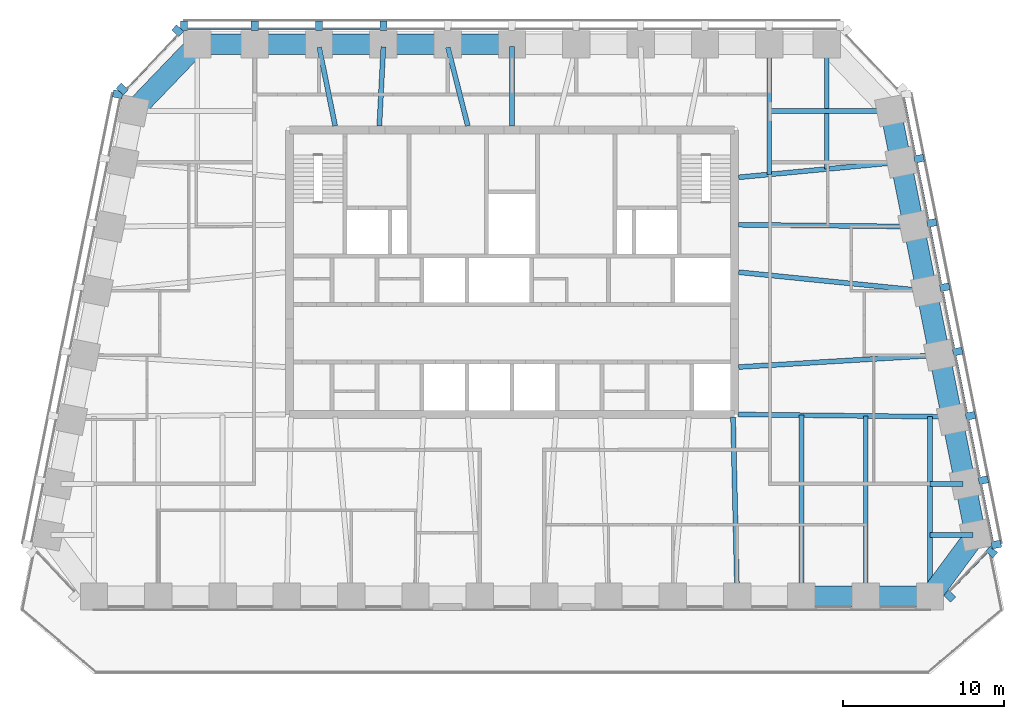
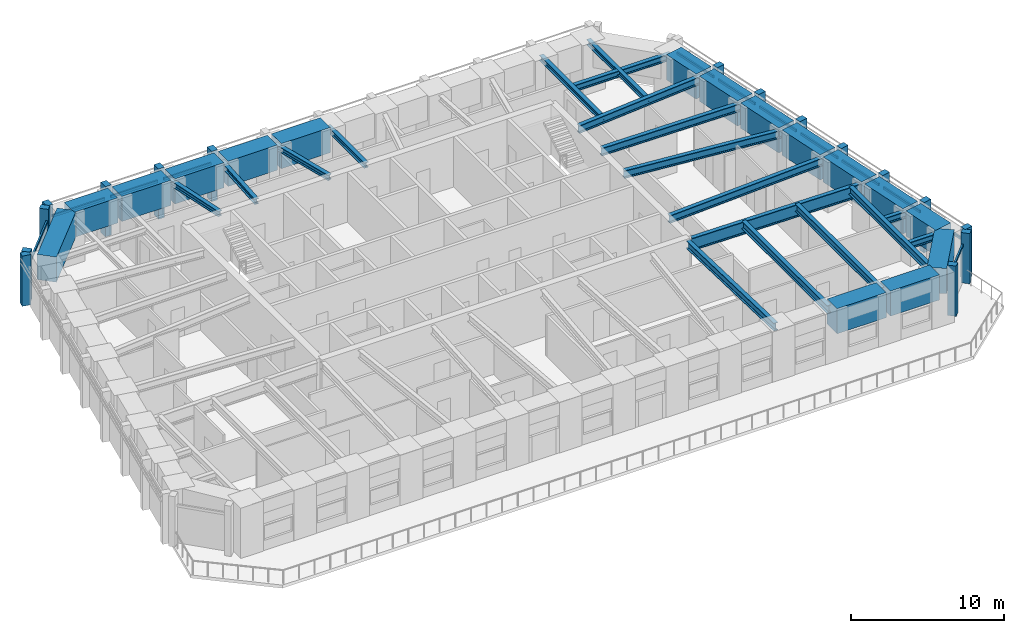
# One storey, part 2 of 11: 34 beams, 28 members, 5 elements without a shape of their own.
"""IFC4 building model written with IfcOpenShell, lengths in metres."""

from ifc_helpers import new_model, si_unit, direction, frame, origin, origin_2d, place, context, subcontext, project, spatial, rectangle, i_section, extrude, material, material_profile, profile_set, type_object, element, aggregate, save


model = new_model("IFC4")

# Units and contexts
model_context = context("Model", 3, precision=1e-05, world=origin(), true_north=direction((0.0, 1.0)))
body_context = subcontext(model_context, "Body", "Model", "MODEL_VIEW")
ifc_project = project(units=[si_unit("LENGTHUNIT", "METRE"), si_unit("AREAUNIT", "SQUARE_METRE"), si_unit("VOLUMEUNIT", "CUBIC_METRE"), si_unit("PLANEANGLEUNIT", "RADIAN"), si_unit("MASSUNIT", "GRAM", prefix="KILO")], contexts=[model_context])

# Site, building, storey
site_placement = place(None, origin())
site = spatial("IfcSite", under=ifc_project, at=site_placement, CompositionType="ELEMENT")
building_placement = place(site_placement, origin())
building = spatial("IfcBuilding", under=site, at=building_placement, Name="Isbrekke Arena Tower", CompositionType="ELEMENT")
storey_placement = place(building_placement, frame((0.0, 0.0, 284.0)))
storey = spatial("IfcBuildingStorey", under=building, at=storey_placement, Name="L66", CompositionType="ELEMENT", Elevation=284.0)

# Beams
ifc_material_1 = material(Name="Steel S355", Category="steel")
ifc_material_profile_1 = material_profile(ifc_material_1, i_section(OverallWidth=0.304931640625, OverallDepth=0.6201171875, WebThickness=0.02099609375, FlangeThickness=0.0400390625, FilletRadius=0.027099609375, at=origin_2d()), Name="HEM 600")
ifc_profile_set_1 = profile_set([ifc_material_profile_1], Name="Steel S355")
beam_type_1 = type_object("IfcBeamType", Name="B4 HEM 600", PredefinedType="BEAM", material=ifc_profile_set_1)
beam_1_placement = place(storey_placement, frame((14.0, -5.021484375, 3.5400390625), z_axis=(-0.022677136914, 0.999742840665, 0.0), x_axis=(-0.999742840665, -0.022677136914, 0.0)))
element("IfcBeam", 1, at=beam_1_placement, inside=storey, type_object=beam_type_1, Name="B4 beam C-S11 L66", PredefinedType="BEAM", context=body_context, shape_type="SweptSolid", body=[
    extrude(i_section(OverallWidth=0.304931640625, OverallDepth=0.6201171875, WebThickness=0.02099609375, FlangeThickness=0.0400390625, FilletRadius=0.027099609375, at=origin_2d()), origin(), (0.0, 0.0, 1.0), 11.0244140625),
])
beam_2_placement = place(storey_placement, frame((18.0, -5.02490234375, 3.5400390625), z_axis=(0.0, 1.0, 0.0), x_axis=(-1.0, 0.0, 0.0)))
element("IfcBeam", 2, at=beam_2_placement, inside=storey, type_object=beam_type_1, Name="B4 beam C-S12 L66", PredefinedType="BEAM", context=body_context, shape_type="SweptSolid", body=[
    extrude(i_section(OverallWidth=0.304931640625, OverallDepth=0.6201171875, WebThickness=0.02099609375, FlangeThickness=0.0400390625, FilletRadius=0.027099609375, at=origin_2d()), origin(), (0.0, 0.0, 1.0), 11.130859375),
])
beam_3_placement = place(storey_placement, frame((22.0, -5.02490234375, 3.5400390625), z_axis=(0.0, 1.0, 0.0), x_axis=(-1.0, 0.0, 0.0)))
element("IfcBeam", 3, at=beam_3_placement, inside=storey, type_object=beam_type_1, Name="B4 beam C-S13 L66", PredefinedType="BEAM", context=body_context, shape_type="SweptSolid", body=[
    extrude(i_section(OverallWidth=0.304931640625, OverallDepth=0.6201171875, WebThickness=0.02099609375, FlangeThickness=0.0400390625, FilletRadius=0.027099609375, at=origin_2d()), origin(), (0.0, 0.0, 1.0), 11.085693359375),
])
beam_4_placement = place(storey_placement, frame((26.0, -5.02490234375, 3.5400390625), z_axis=(0.0, 1.0, 0.0), x_axis=(-1.0, 0.0, 0.0)))
element("IfcBeam", 4, at=beam_4_placement, inside=storey, type_object=beam_type_1, Name="B4 beam C-S14 L66", PredefinedType="BEAM", context=body_context, shape_type="SweptSolid", body=[
    extrude(i_section(OverallWidth=0.304931640625, OverallDepth=0.6201171875, WebThickness=0.02099609375, FlangeThickness=0.0400390625, FilletRadius=0.027099609375, at=origin_2d()), origin(), (0.0, 0.0, 1.0), 11.04052734375),
])
beam_5_placement = place(storey_placement, frame((26.431884765625, 9.837646484375, 3.5400390625), z_axis=(-0.998216240514, -0.059702070095, 0.0), x_axis=(0.059702070095, -0.998216240514, 0.0)))
element("IfcBeam", 5, at=beam_5_placement, inside=storey, type_object=beam_type_1, Name="B4 beam E-E04 L66", PredefinedType="BEAM", context=body_context, shape_type="SweptSolid", body=[
    extrude(i_section(OverallWidth=0.304931640625, OverallDepth=0.6201171875, WebThickness=0.02099609375, FlangeThickness=0.0400390625, FilletRadius=0.027099609375, at=origin_2d()), origin(), (0.0, 0.0, 1.0), 12.353759765625),
])
beam_6_placement = place(storey_placement, frame((25.625732421875, 13.83984375, 3.5400390625), z_axis=(-0.994972081505, 0.100152668587, 0.0), x_axis=(-0.100152668587, -0.994972081505, 0.0)))
element("IfcBeam", 6, at=beam_6_placement, inside=storey, type_object=beam_type_1, Name="B4 beam E-E05 L66", PredefinedType="BEAM", context=body_context, shape_type="SweptSolid", body=[
    extrude(i_section(OverallWidth=0.304931640625, OverallDepth=0.6201171875, WebThickness=0.02099609375, FlangeThickness=0.0400390625, FilletRadius=0.027099609375, at=origin_2d()), origin(), (0.0, 0.0, 1.0), 11.583984375),
])
beam_7_placement = place(storey_placement, frame((24.83935546875, 17.838134765625, 3.5400390625), z_axis=(-0.999945800258, 0.010411366203, 0.0), x_axis=(-0.010411366203, -0.999945800258, 0.0)))
element("IfcBeam", 7, at=beam_7_placement, inside=storey, type_object=beam_type_1, Name="B4 beam E-E06 L66", PredefinedType="BEAM", context=body_context, shape_type="SweptSolid", body=[
    extrude(i_section(OverallWidth=0.304931640625, OverallDepth=0.6201171875, WebThickness=0.02099609375, FlangeThickness=0.0400390625, FilletRadius=0.027099609375, at=origin_2d()), origin(), (0.0, 0.0, 1.0), 10.73974609375),
])
beam_8_placement = place(storey_placement, frame((24.02685546875, 21.8369140625, 3.5400390625), z_axis=(-0.995574576627, -0.093974796485, 0.0), x_axis=(0.093974796485, -0.995574576627, 0.0)))
element("IfcBeam", 8, at=beam_8_placement, inside=storey, type_object=beam_type_1, Name="B4 beam E-E07 L66", PredefinedType="BEAM", context=body_context, shape_type="SweptSolid", body=[
    extrude(i_section(OverallWidth=0.304931640625, OverallDepth=0.6201171875, WebThickness=0.02099609375, FlangeThickness=0.0400390625, FilletRadius=0.027099609375, at=origin_2d()), origin(), (0.0, 0.0, 1.0), 9.970947265625),
])
ifc_material_2 = material(Name="Steel S355", Category="steel")
ifc_material_profile_2 = material_profile(ifc_material_2, i_section(OverallWidth=0.305908203125, OverallDepth=0.52392578125, WebThickness=0.02099609375, FlangeThickness=0.0400390625, FilletRadius=0.027099609375, at=origin_2d()), Name="HEM 500")
ifc_profile_set_2 = profile_set([ifc_material_profile_2], Name="Steel S355")
beam_type_2 = type_object("IfcBeamType", Name="B5 HEM 500", PredefinedType="BEAM", material=ifc_profile_set_2)
beam_9_placement = place(storey_placement, frame((28.67919921875, -1.352783203125, 3.587890625), z_axis=(-1.0, 0.0, 0.0), x_axis=(0.0, -1.0, 0.0)))
element("IfcBeam", 9, at=beam_9_placement, inside=storey, type_object=beam_type_2, Name="B5 beam E-E01 L66", PredefinedType="BEAM", context=body_context, shape_type="SweptSolid", body=[
    extrude(i_section(OverallWidth=0.305908203125, OverallDepth=0.52392578125, WebThickness=0.02099609375, FlangeThickness=0.0400390625, FilletRadius=0.027099609375, at=origin_2d()), origin(), (0.0, 0.0, 1.0), 2.67919921875),
])
beam_10_placement = place(storey_placement, frame((28.041015625, 1.838134765625, 3.587890625), z_axis=(-1.0, 0.0, 0.0), x_axis=(0.0, -1.0, 0.0)))
element("IfcBeam", 10, at=beam_10_placement, inside=storey, type_object=beam_type_2, Name="B5 beam E-E02 L66", PredefinedType="BEAM", context=body_context, shape_type="SweptSolid", body=[
    extrude(i_section(OverallWidth=0.305908203125, OverallDepth=0.52392578125, WebThickness=0.02099609375, FlangeThickness=0.0400390625, FilletRadius=0.027099609375, at=origin_2d()), origin(), (0.0, 0.0, 1.0), 2.041015625),
])
beam_11_placement = place(storey_placement, frame((23.40283203125, 25.029296875, 3.587890625), z_axis=(-1.0, 0.0, 0.0), x_axis=(0.0, -1.0, 0.0)))
element("IfcBeam", 11, at=beam_11_placement, inside=storey, type_object=beam_type_2, Name="B5 beam E-E08 L66", PredefinedType="BEAM", context=body_context, shape_type="SweptSolid", body=[
    extrude(i_section(OverallWidth=0.305908203125, OverallDepth=0.52392578125, WebThickness=0.02099609375, FlangeThickness=0.0400390625, FilletRadius=0.027099609375, at=origin_2d()), origin(), (0.0, 0.0, 1.0), 7.40283203125),
])
ifc_material_3 = material(Name="Steel S355", Category="steel")
ifc_material_profile_3 = material_profile(ifc_material_3, i_section(OverallWidth=0.306884765625, OverallDepth=0.431884765625, WebThickness=0.02099609375, FlangeThickness=0.0400390625, FilletRadius=0.027099609375, at=origin_2d()), Name="HEM 400")
ifc_profile_set_3 = profile_set([ifc_material_profile_3], Name="Steel S355")
beam_type_3 = type_object("IfcBeamType", Name="B6 HEM 400", PredefinedType="BEAM", material=ifc_profile_set_3)
beam_12_placement = place(storey_placement, frame((19.574951171875, 29.02490234375, 3.634033203125), z_axis=(0.0, -1.0, 0.0), x_axis=(1.0, 0.0, 0.0)))
element("IfcBeam", 12, at=beam_12_placement, inside=storey, type_object=beam_type_3, Name="B6 beam N-N01 L66", PredefinedType="BEAM", context=body_context, shape_type="SweptSolid", body=[
    extrude(i_section(OverallWidth=0.306884765625, OverallDepth=0.431884765625, WebThickness=0.02099609375, FlangeThickness=0.0400390625, FilletRadius=0.027099609375, at=origin_2d()), origin(), (0.0, 0.0, 1.0), 7.608154296875),
])
beam_13_placement = place(storey_placement, frame((16.0, 29.02490234375, 3.634033203125), z_axis=(0.0, -1.0, 0.0), x_axis=(1.0, 0.0, 0.0)))
element("IfcBeam", 13, at=beam_13_placement, inside=storey, type_object=beam_type_3, Name="B6 beam N-N02 L66", PredefinedType="BEAM", context=body_context, shape_type="SweptSolid", body=[
    extrude(i_section(OverallWidth=0.306884765625, OverallDepth=0.431884765625, WebThickness=0.02099609375, FlangeThickness=0.0400390625, FilletRadius=0.027099609375, at=origin_2d()), origin(), (0.0, 0.0, 1.0), 7.945556640625),
])
beam_14_placement = place(storey_placement, frame((0.0, 29.02490234375, 3.634033203125), z_axis=(0.0, -1.0, 0.0), x_axis=(1.0, 0.0, 0.0)))
element("IfcBeam", 14, at=beam_14_placement, inside=storey, type_object=beam_type_3, Name="B6 beam N-N06 L66", PredefinedType="BEAM", context=body_context, shape_type="SweptSolid", body=[
    extrude(i_section(OverallWidth=0.306884765625, OverallDepth=0.431884765625, WebThickness=0.02099609375, FlangeThickness=0.0400390625, FilletRadius=0.027099609375, at=origin_2d()), origin(), (0.0, 0.0, 1.0), 4.9248046875),
])
beam_15_placement = place(storey_placement, frame((-3.99072265625, 28.98828125, 3.634033203125), z_axis=(0.246019579109, -0.969264858898, 0.0), x_axis=(0.969264858898, 0.246019579109, 0.0)))
element("IfcBeam", 15, at=beam_15_placement, inside=storey, type_object=beam_type_3, Name="B6 beam N-N07 L66", PredefinedType="BEAM", context=body_context, shape_type="SweptSolid", body=[
    extrude(i_section(OverallWidth=0.306884765625, OverallDepth=0.431884765625, WebThickness=0.02099609375, FlangeThickness=0.0400390625, FilletRadius=0.027099609375, at=origin_2d()), origin(), (0.0, 0.0, 1.0), 5.043212890625),
])
beam_16_placement = place(storey_placement, frame((-8.00048828125, 29.017333984375, 3.634033203125), z_axis=(-0.050677067868, -0.998715091902, 0.0), x_axis=(0.998715091902, -0.050677067868, 0.0)))
element("IfcBeam", 16, at=beam_16_placement, inside=storey, type_object=beam_type_3, Name="B6 beam N-N08 L66", PredefinedType="BEAM", context=body_context, shape_type="SweptSolid", body=[
    extrude(i_section(OverallWidth=0.306884765625, OverallDepth=0.431884765625, WebThickness=0.02099609375, FlangeThickness=0.0400390625, FilletRadius=0.027099609375, at=origin_2d()), origin(), (0.0, 0.0, 1.0), 4.923583984375),
])
beam_17_placement = place(storey_placement, frame((-11.993896484375, 28.9951171875, 3.634033203125), z_axis=(0.198982177337, -0.980003108721, 0.0), x_axis=(0.980003108721, 0.198982177337, 0.0)))
element("IfcBeam", 17, at=beam_17_placement, inside=storey, type_object=beam_type_3, Name="B6 beam N-N09 L66", PredefinedType="BEAM", context=body_context, shape_type="SweptSolid", body=[
    extrude(i_section(OverallWidth=0.306884765625, OverallDepth=0.431884765625, WebThickness=0.02099609375, FlangeThickness=0.0400390625, FilletRadius=0.027099609375, at=origin_2d()), origin(), (0.0, 0.0, 1.0), 4.994873046875),
])

# Curtain wall, members
ifc_material_4 = material(Name="Glazed aluminium curtain wall", Category="aluminium")
curtain_wall_type = type_object("IfcCurtainWallType", Name="CWT TOWER CURTAIN WALL TOP ZONE", PredefinedType="USERDEFINED", material=ifc_material_4)
curtain_wall_1_placement = place(storey_placement, origin())
curtain_wall_1 = element("IfcCurtainWall", 18, at=curtain_wall_1_placement, inside=storey, type_object=curtain_wall_type, Name="CWT curtain wall L66-SE", ObjectType="TOWER CURTAIN WALL TOP ZONE", PredefinedType="USERDEFINED")
ifc_material_5 = material(Name="Copper-clad aluminium mullion", Category="aluminium")
ifc_material_profile_4 = material_profile(ifc_material_5, rectangle(XDim=0.449951171875, YDim=0.60009765625, at=origin_2d()), Name="PIER 450X600")
ifc_profile_set_4 = profile_set([ifc_material_profile_4], Name="Copper-clad aluminium mullion")
member_type_1 = type_object("IfcMemberType", Name="CWT-M PIER MULLION 450 x 600", PredefinedType="MULLION", material=ifc_profile_set_4)
member_1_placement = place(storey_placement, frame((27.22021484375, -5.151123046875, 0.0), z_axis=(0.0, 0.0, 1.0), x_axis=(0.68874946192, 0.72499943359, 0.0)))
member_1 = element("IfcMember", 19, at=member_1_placement, type_object=member_type_1, Name="CWT-M mullion 1", PredefinedType="MULLION", context=body_context, shape_type="SweptSolid", body=[
    extrude(rectangle(XDim=0.449951171875, YDim=0.60009765625, at=origin_2d()), origin(), (0.0, 0.0, 1.0), 4.0),
])
member_2_placement = place(storey_placement, frame((29.8359375, -2.397705078125, 0.0), z_axis=(0.0, 0.0, 1.0), x_axis=(0.68874946192, 0.72499943359, 0.0)))
member_2 = element("IfcMember", 20, at=member_2_placement, type_object=member_type_1, Name="CWT-M mullion 2", PredefinedType="MULLION", context=body_context, shape_type="SweptSolid", body=[
    extrude(rectangle(XDim=0.449951171875, YDim=0.60009765625, at=origin_2d()), origin(), (0.0, 0.0, 1.0), 4.0),
])

curtain_wall_2_placement = place(storey_placement, origin())
curtain_wall_2 = element("IfcCurtainWall", 21, at=curtain_wall_2_placement, inside=storey, type_object=curtain_wall_type, Name="CWT curtain wall L66-E", ObjectType="TOWER CURTAIN WALL TOP ZONE", PredefinedType="USERDEFINED")
member_3_placement = place(storey_placement, frame((30.11865234375, -1.936279296875, 0.0), z_axis=(0.0, 0.0, 1.0), x_axis=(-0.196116135138, 0.980580675691, 0.0)))
member_3 = element("IfcMember", 22, at=member_3_placement, type_object=member_type_1, Name="CWT-M mullion 1", PredefinedType="MULLION", context=body_context, shape_type="SweptSolid", body=[
    extrude(rectangle(XDim=0.449951171875, YDim=0.60009765625, at=origin_2d()), origin(), (0.0, 0.0, 1.0), 4.0),
])
member_4_placement = place(storey_placement, frame((29.318603515625, 2.063720703125, 0.0), z_axis=(0.0, 0.0, 1.0), x_axis=(-0.196116135138, 0.980580675691, 0.0)))
member_4 = element("IfcMember", 23, at=member_4_placement, type_object=member_type_1, Name="CWT-M mullion 2", PredefinedType="MULLION", context=body_context, shape_type="SweptSolid", body=[
    extrude(rectangle(XDim=0.449951171875, YDim=0.60009765625, at=origin_2d()), origin(), (0.0, 0.0, 1.0), 4.0),
])
member_5_placement = place(storey_placement, frame((28.518798828125, 6.063720703125, 0.0), z_axis=(0.0, 0.0, 1.0), x_axis=(-0.196116135138, 0.980580675691, 0.0)))
member_5 = element("IfcMember", 24, at=member_5_placement, type_object=member_type_1, Name="CWT-M mullion 3", PredefinedType="MULLION", context=body_context, shape_type="SweptSolid", body=[
    extrude(rectangle(XDim=0.449951171875, YDim=0.60009765625, at=origin_2d()), origin(), (0.0, 0.0, 1.0), 4.0),
])
member_6_placement = place(storey_placement, frame((27.71875, 10.063720703125, 0.0), z_axis=(0.0, 0.0, 1.0), x_axis=(-0.196116135138, 0.980580675691, 0.0)))
member_6 = element("IfcMember", 25, at=member_6_placement, type_object=member_type_1, Name="CWT-M mullion 4", PredefinedType="MULLION", context=body_context, shape_type="SweptSolid", body=[
    extrude(rectangle(XDim=0.449951171875, YDim=0.60009765625, at=origin_2d()), origin(), (0.0, 0.0, 1.0), 4.0),
])
member_7_placement = place(storey_placement, frame((26.918701171875, 14.063720703125, 0.0), z_axis=(0.0, 0.0, 1.0), x_axis=(-0.196116135138, 0.980580675691, 0.0)))
member_7 = element("IfcMember", 26, at=member_7_placement, type_object=member_type_1, Name="CWT-M mullion 5", PredefinedType="MULLION", context=body_context, shape_type="SweptSolid", body=[
    extrude(rectangle(XDim=0.449951171875, YDim=0.60009765625, at=origin_2d()), origin(), (0.0, 0.0, 1.0), 4.0),
])
member_8_placement = place(storey_placement, frame((26.11865234375, 18.063720703125, 0.0), z_axis=(0.0, 0.0, 1.0), x_axis=(-0.196116135138, 0.980580675691, 0.0)))
member_8 = element("IfcMember", 27, at=member_8_placement, type_object=member_type_1, Name="CWT-M mullion 6", PredefinedType="MULLION", context=body_context, shape_type="SweptSolid", body=[
    extrude(rectangle(XDim=0.449951171875, YDim=0.60009765625, at=origin_2d()), origin(), (0.0, 0.0, 1.0), 4.0),
])
member_9_placement = place(storey_placement, frame((25.318603515625, 22.063720703125, 0.0), z_axis=(0.0, 0.0, 1.0), x_axis=(-0.196116135138, 0.980580675691, 0.0)))
member_9 = element("IfcMember", 28, at=member_9_placement, type_object=member_type_1, Name="CWT-M mullion 7", PredefinedType="MULLION", context=body_context, shape_type="SweptSolid", body=[
    extrude(rectangle(XDim=0.449951171875, YDim=0.60009765625, at=origin_2d()), origin(), (0.0, 0.0, 1.0), 4.0),
])

curtain_wall_3_placement = place(storey_placement, origin())
curtain_wall_3 = element("IfcCurtainWall", 29, at=curtain_wall_3_placement, inside=storey, type_object=curtain_wall_type, Name="CWT curtain wall L66-N", ObjectType="TOWER CURTAIN WALL TOP ZONE", PredefinedType="USERDEFINED")
member_10_placement = place(storey_placement, frame((-8.0, 30.324951171875, 0.0), z_axis=(0.0, 0.0, 1.0), x_axis=(-1.0, 0.0, 0.0)))
member_10 = element("IfcMember", 30, at=member_10_placement, type_object=member_type_1, Name="CWT-M mullion 8", PredefinedType="MULLION", context=body_context, shape_type="SweptSolid", body=[
    extrude(rectangle(XDim=0.449951171875, YDim=0.60009765625, at=origin_2d()), origin(), (0.0, 0.0, 1.0), 4.0),
])
member_11_placement = place(storey_placement, frame((-12.0, 30.324951171875, 0.0), z_axis=(0.0, 0.0, 1.0), x_axis=(-1.0, 0.0, 0.0)))
member_11 = element("IfcMember", 31, at=member_11_placement, type_object=member_type_1, Name="CWT-M mullion 9", PredefinedType="MULLION", context=body_context, shape_type="SweptSolid", body=[
    extrude(rectangle(XDim=0.449951171875, YDim=0.60009765625, at=origin_2d()), origin(), (0.0, 0.0, 1.0), 4.0),
])
member_12_placement = place(storey_placement, frame((-16.0, 30.324951171875, 0.0), z_axis=(0.0, 0.0, 1.0), x_axis=(-1.0, 0.0, 0.0)))
member_12 = element("IfcMember", 32, at=member_12_placement, type_object=member_type_1, Name="CWT-M mullion 10", PredefinedType="MULLION", context=body_context, shape_type="SweptSolid", body=[
    extrude(rectangle(XDim=0.449951171875, YDim=0.60009765625, at=origin_2d()), origin(), (0.0, 0.0, 1.0), 4.0),
])
member_13_placement = place(storey_placement, frame((-20.39990234375, 30.324951171875, 0.0), z_axis=(0.0, 0.0, 1.0), x_axis=(-1.0, 0.0, 0.0)))
member_13 = element("IfcMember", 33, at=member_13_placement, type_object=member_type_1, Name="CWT-M mullion 11", PredefinedType="MULLION", context=body_context, shape_type="SweptSolid", body=[
    extrude(rectangle(XDim=0.449951171875, YDim=0.60009765625, at=origin_2d()), origin(), (0.0, 0.0, 1.0), 4.0),
])

curtain_wall_4_placement = place(storey_placement, origin())
curtain_wall_4 = element("IfcCurtainWall", 34, at=curtain_wall_4_placement, inside=storey, type_object=curtain_wall_type, Name="CWT curtain wall L66-NW", ObjectType="TOWER CURTAIN WALL TOP ZONE", PredefinedType="USERDEFINED")
member_14_placement = place(storey_placement, frame((-20.795166015625, 30.01953125, 0.0), z_axis=(0.0, 0.0, 1.0), x_axis=(-0.68874946192, -0.72499943359, 0.0)))
member_14 = element("IfcMember", 35, at=member_14_placement, type_object=member_type_1, Name="CWT-M mullion 1", PredefinedType="MULLION", context=body_context, shape_type="SweptSolid", body=[
    extrude(rectangle(XDim=0.449951171875, YDim=0.60009765625, at=origin_2d()), origin(), (0.0, 0.0, 1.0), 4.0),
])
member_15_placement = place(storey_placement, frame((-24.243896484375, 26.389404296875, 0.0), z_axis=(0.0, 0.0, 1.0), x_axis=(-0.68874946192, -0.72499943359, 0.0)))
member_15 = element("IfcMember", 36, at=member_15_placement, type_object=member_type_1, Name="CWT-M mullion 2", PredefinedType="MULLION", context=body_context, shape_type="SweptSolid", body=[
    extrude(rectangle(XDim=0.449951171875, YDim=0.60009765625, at=origin_2d()), origin(), (0.0, 0.0, 1.0), 4.0),
])

# Curtain wall, member
curtain_wall_5_placement = place(storey_placement, origin())
curtain_wall_5 = element("IfcCurtainWall", 37, at=curtain_wall_5_placement, inside=storey, type_object=curtain_wall_type, Name="CWT curtain wall L66-W", ObjectType="TOWER CURTAIN WALL TOP ZONE", PredefinedType="USERDEFINED")
member_16_placement = place(storey_placement, frame((-24.518798828125, 26.063720703125, 0.0), z_axis=(0.0, 0.0, 1.0), x_axis=(-0.196116135138, -0.980580675691, 0.0)))
member_16 = element("IfcMember", 38, at=member_16_placement, type_object=member_type_1, Name="CWT-M mullion 1", PredefinedType="MULLION", context=body_context, shape_type="SweptSolid", body=[
    extrude(rectangle(XDim=0.449951171875, YDim=0.60009765625, at=origin_2d()), origin(), (0.0, 0.0, 1.0), 4.0),
])
aggregate(curtain_wall_5, [member_16])

# Member
ifc_material_6 = material(Name="Aluminium transom", Category="aluminium")
ifc_material_profile_5 = material_profile(ifc_material_6, rectangle(XDim=0.1201171875, YDim=0.199951171875, at=origin_2d()), Name="TRANSOM 120X200")
ifc_profile_set_5 = profile_set([ifc_material_profile_5], Name="Aluminium transom")
member_type_2 = type_object("IfcMemberType", Name="CWT-T TRANSOM 120 x 200", PredefinedType="USERDEFINED", material=ifc_profile_set_5)
member_17_placement = place(storey_placement, frame((27.230224609375, -4.850341796875, 3.0), z_axis=(0.688714962542, 0.725032206437, 0.0), x_axis=(-0.725032206437, 0.688714962542, 0.0)))
member_17 = element("IfcMember", 39, at=member_17_placement, type_object=member_type_2, Name="CWT-T transom 1", ObjectType="TRANSOM", PredefinedType="USERDEFINED", context=body_context, shape_type="SweptSolid", body=[
    extrude(rectangle(XDim=0.1201171875, YDim=0.199951171875, at=origin_2d()), origin(), (0.0, 0.0, 1.0), 3.34765625),
])

aggregate(curtain_wall_1, [member_1, member_2, member_17])

member_18_placement = place(storey_placement, frame((29.87841796875, -1.7548828125, 3.0), z_axis=(-0.196090262229, 0.980585849918, 0.0), x_axis=(-0.980585849918, -0.196090262229, 0.0)))
member_18 = element("IfcMember", 40, at=member_18_placement, type_object=member_type_2, Name="CWT-T transom 1", ObjectType="TRANSOM", PredefinedType="USERDEFINED", context=body_context, shape_type="SweptSolid", body=[
    extrude(rectangle(XDim=0.1201171875, YDim=0.199951171875, at=origin_2d()), origin(), (0.0, 0.0, 1.0), 3.62939453125),
])

member_19_placement = place(storey_placement, frame((29.078369140625, 2.2451171875, 3.0), z_axis=(-0.196090262229, 0.980585849918, 0.0), x_axis=(-0.980585849918, -0.196090262229, 0.0)))
member_19 = element("IfcMember", 41, at=member_19_placement, type_object=member_type_2, Name="CWT-T transom 2", ObjectType="TRANSOM", PredefinedType="USERDEFINED", context=body_context, shape_type="SweptSolid", body=[
    extrude(rectangle(XDim=0.1201171875, YDim=0.199951171875, at=origin_2d()), origin(), (0.0, 0.0, 1.0), 3.62939453125),
])

member_20_placement = place(storey_placement, frame((28.278564453125, 6.2451171875, 3.0), z_axis=(-0.196154943734, 0.980572913173, 0.0), x_axis=(-0.980572913173, -0.196154943734, 0.0)))
member_20 = element("IfcMember", 42, at=member_20_placement, type_object=member_type_2, Name="CWT-T transom 3", ObjectType="TRANSOM", PredefinedType="USERDEFINED", context=body_context, shape_type="SweptSolid", body=[
    extrude(rectangle(XDim=0.1201171875, YDim=0.199951171875, at=origin_2d()), origin(), (0.0, 0.0, 1.0), 3.62939453125),
])

member_21_placement = place(storey_placement, frame((27.478515625, 10.2451171875, 3.0), z_axis=(-0.196154943734, 0.980572913173, 0.0), x_axis=(-0.980572913173, -0.196154943734, 0.0)))
member_21 = element("IfcMember", 43, at=member_21_placement, type_object=member_type_2, Name="CWT-T transom 4", ObjectType="TRANSOM", PredefinedType="USERDEFINED", context=body_context, shape_type="SweptSolid", body=[
    extrude(rectangle(XDim=0.1201171875, YDim=0.199951171875, at=origin_2d()), origin(), (0.0, 0.0, 1.0), 3.62939453125),
])

member_22_placement = place(storey_placement, frame((26.678466796875, 14.2451171875, 3.0), z_axis=(-0.196090262229, 0.980585849918, 0.0), x_axis=(-0.980585849918, -0.196090262229, 0.0)))
member_22 = element("IfcMember", 44, at=member_22_placement, type_object=member_type_2, Name="CWT-T transom 5", ObjectType="TRANSOM", PredefinedType="USERDEFINED", context=body_context, shape_type="SweptSolid", body=[
    extrude(rectangle(XDim=0.1201171875, YDim=0.199951171875, at=origin_2d()), origin(), (0.0, 0.0, 1.0), 3.62939453125),
])

member_23_placement = place(storey_placement, frame((25.87841796875, 18.2451171875, 3.0), z_axis=(-0.196090262229, 0.980585849918, 0.0), x_axis=(-0.980585849918, -0.196090262229, 0.0)))
member_23 = element("IfcMember", 45, at=member_23_placement, type_object=member_type_2, Name="CWT-T transom 6", ObjectType="TRANSOM", PredefinedType="USERDEFINED", context=body_context, shape_type="SweptSolid", body=[
    extrude(rectangle(XDim=0.1201171875, YDim=0.199951171875, at=origin_2d()), origin(), (0.0, 0.0, 1.0), 3.62939453125),
])

member_24_placement = place(storey_placement, frame((25.078369140625, 22.2451171875, 3.0), z_axis=(-0.196090262229, 0.980585849918, 0.0), x_axis=(-0.980585849918, -0.196090262229, 0.0)))
member_24 = element("IfcMember", 46, at=member_24_placement, type_object=member_type_2, Name="CWT-T transom 7", ObjectType="TRANSOM", PredefinedType="USERDEFINED", context=body_context, shape_type="SweptSolid", body=[
    extrude(rectangle(XDim=0.1201171875, YDim=0.199951171875, at=origin_2d()), origin(), (0.0, 0.0, 1.0), 3.62939453125),
])

aggregate(curtain_wall_2, [member_3, member_4, member_5, member_6, member_7, member_8, member_9, member_18, member_19, member_20, member_21, member_22, member_23, member_24])

member_25_placement = place(storey_placement, frame((-8.22509765625, 30.125, 3.0), z_axis=(-1.0, 0.0, 0.0), x_axis=(0.0, -1.0, 0.0)))
member_25 = element("IfcMember", 47, at=member_25_placement, type_object=member_type_2, Name="CWT-T transom 8", ObjectType="TRANSOM", PredefinedType="USERDEFINED", context=body_context, shape_type="SweptSolid", body=[
    extrude(rectangle(XDim=0.1201171875, YDim=0.199951171875, at=origin_2d()), origin(), (0.0, 0.0, 1.0), 3.5498046875),
])

member_26_placement = place(storey_placement, frame((-12.22509765625, 30.125, 3.0), z_axis=(-1.0, 0.0, 0.0), x_axis=(0.0, -1.0, 0.0)))
member_26 = element("IfcMember", 48, at=member_26_placement, type_object=member_type_2, Name="CWT-T transom 9", ObjectType="TRANSOM", PredefinedType="USERDEFINED", context=body_context, shape_type="SweptSolid", body=[
    extrude(rectangle(XDim=0.1201171875, YDim=0.199951171875, at=origin_2d()), origin(), (0.0, 0.0, 1.0), 3.5498046875),
])

member_27_placement = place(storey_placement, frame((-16.22509765625, 30.125, 3.0), z_axis=(-1.0, 0.0, 0.0), x_axis=(0.0, -1.0, 0.0)))
member_27 = element("IfcMember", 49, at=member_27_placement, type_object=member_type_2, Name="CWT-T transom 10", ObjectType="TRANSOM", PredefinedType="USERDEFINED", context=body_context, shape_type="SweptSolid", body=[
    extrude(rectangle(XDim=0.1201171875, YDim=0.199951171875, at=origin_2d()), origin(), (0.0, 0.0, 1.0), 3.949951171875),
])

aggregate(curtain_wall_3, [member_10, member_11, member_12, member_13, member_25, member_26, member_27])

member_28_placement = place(storey_placement, frame((-20.80517578125, 29.71875, 3.0), z_axis=(-0.688739606035, -0.725008796552, 0.0), x_axis=(0.725008796552, -0.688739606035, 0.0)))
member_28 = element("IfcMember", 50, at=member_28_placement, type_object=member_type_2, Name="CWT-T transom 1", ObjectType="TRANSOM", PredefinedType="USERDEFINED", context=body_context, shape_type="SweptSolid", body=[
    extrude(rectangle(XDim=0.1201171875, YDim=0.199951171875, at=origin_2d()), origin(), (0.0, 0.0, 1.0), 4.55712890625),
])

aggregate(curtain_wall_4, [member_14, member_15, member_28])

# Beams
ifc_material_7 = material(Name="Steel S355", Category="steel")
ifc_material_profile_6 = material_profile(ifc_material_7, i_section(OverallWidth=0.302001953125, OverallDepth=1.008056640625, WebThickness=0.02099609375, FlangeThickness=0.0400390625, FilletRadius=0.030029296875, at=origin_2d()), Name="HEM 1000")
ifc_profile_set_6 = profile_set([ifc_material_profile_6], Name="Steel S355")
beam_type_4 = type_object("IfcBeamType", Name="G2 HEM 1000", PredefinedType="BEAM", material=ifc_profile_set_6)
beam_18_placement = place(storey_placement, frame((14.10009765625, 6.14990234375, 3.345947265625), z_axis=(0.999936387749, -0.011279204565, 0.0), x_axis=(0.011279204565, 0.999936387749, 0.0)))
element("IfcBeam", 51, at=beam_18_placement, inside=storey, type_object=beam_type_4, Name="G2 beam G2-E L66", PredefinedType="BEAM", context=body_context, shape_type="SweptSolid", body=[
    extrude(i_section(OverallWidth=0.302001953125, OverallDepth=1.008056640625, WebThickness=0.02099609375, FlangeThickness=0.0400390625, FilletRadius=0.030029296875, at=origin_2d()), origin(), (0.0, 0.0, 1.0), 13.2900390625),
])
ifc_material_8 = material(Name="Concrete B55 (C55/67)", Category="concrete")
ifc_material_profile_7 = material_profile(ifc_material_8, rectangle(XDim=1.300048828125, YDim=2.0, at=origin_2d()), Name="RC 1300x2000")
ifc_profile_set_7 = profile_set([ifc_material_profile_7], Name="Concrete B55 (C55/67)")
beam_type_5 = type_object("IfcBeamType", Name="SB4 RC 1300 x 2000", PredefinedType="SPANDREL", material=ifc_profile_set_7)
for number, where, z_axis, x_axis, name in (
    (52, (18.14990234375, -5.175048828125, 3.0), (1.0, 0.0, 0.0), (0.0, 1.0, 0.0), "SB4 spandrel S12-S13 L66"),
    (53, (22.14990234375, -5.175048828125, 3.0), (1.0, 0.0, 0.0), (0.0, 1.0, 0.0), "SB4 spandrel S13-S14 L66"),
):
    element("IfcBeam", number, at=place(storey_placement, frame(where, z_axis=z_axis, x_axis=x_axis)), inside=storey, type_object=beam_type_5, Name=name, PredefinedType="SPANDREL", context=body_context, shape_type="SweptSolid", body=[
        extrude(rectangle(XDim=1.300048828125, YDim=2.0, at=origin_2d()), origin(), (0.0, 0.0, 1.0), 3.7001953125),
    ])
beam_19_placement = place(storey_placement, frame((26.08935546875, -5.054443359375, 3.0), z_axis=(0.594937895072, 0.803771672185, 0.0), x_axis=(-0.803771672185, 0.594937895072, 0.0)))
element("IfcBeam", 54, at=beam_19_placement, inside=storey, type_object=beam_type_5, Name="SB4 spandrel S14-E01 L66", PredefinedType="SPANDREL", context=body_context, shape_type="SweptSolid", body=[
    extrude(rectangle(XDim=1.300048828125, YDim=2.0, at=origin_2d()), origin(), (0.0, 0.0, 1.0), 4.455322265625),
])
beam_20_placement = place(storey_placement, frame((28.7998046875, -1.205810546875, 3.0), z_axis=(-0.196100243168, 0.980583853951, 0.0), x_axis=(-0.980583853951, -0.196100243168, 0.0)))
element("IfcBeam", 55, at=beam_20_placement, inside=storey, type_object=beam_type_5, Name="SB4 spandrel E01-E02 L66", PredefinedType="SPANDREL", context=body_context, shape_type="SweptSolid", body=[
    extrude(rectangle(XDim=1.300048828125, YDim=2.0, at=origin_2d()), origin(), (0.0, 0.0, 1.0), 2.954345703125),
])
for number, where, z_axis, x_axis, name in (
    (56, (28.16162109375, 1.9853515625, 3.0), (-0.196128558387, 0.980578190959, 0.0), (-0.980578190959, -0.196128558387, 0.0), "SB4 spandrel E02-E03 L66"),
    (57, (27.361572265625, 5.9853515625, 3.0), (-0.196128558387, 0.980578190959, 0.0), (-0.980578190959, -0.196128558387, 0.0), "SB4 spandrel E03-E04 L66"),
):
    element("IfcBeam", number, at=place(storey_placement, frame(where, z_axis=z_axis, x_axis=x_axis)), inside=storey, type_object=beam_type_5, Name=name, PredefinedType="SPANDREL", context=body_context, shape_type="SweptSolid", body=[
        extrude(rectangle(XDim=1.300048828125, YDim=2.0, at=origin_2d()), origin(), (0.0, 0.0, 1.0), 3.779296875),
    ])
beam_21_placement = place(storey_placement, frame((26.5615234375, 9.9853515625, 3.0), z_axis=(-0.1960664412, 0.980590613169, 0.0), x_axis=(-0.980590613169, -0.1960664412, 0.0)))
element("IfcBeam", 58, at=beam_21_placement, inside=storey, type_object=beam_type_5, Name="SB4 spandrel E04-E05 L66", PredefinedType="SPANDREL", context=body_context, shape_type="SweptSolid", body=[
    extrude(rectangle(XDim=1.300048828125, YDim=2.0, at=origin_2d()), origin(), (0.0, 0.0, 1.0), 3.779052734375),
])
for number, where, z_axis, x_axis, name in (
    (59, (25.76171875, 13.9853515625, 3.0), (-0.196128558387, 0.980578190959, 0.0), (-0.980578190959, -0.196128558387, 0.0), "SB4 spandrel E05-E06 L66"),
    (60, (24.961669921875, 17.9853515625, 3.0), (-0.196128558387, 0.980578190959, 0.0), (-0.980578190959, -0.196128558387, 0.0), "SB4 spandrel E06-E07 L66"),
):
    element("IfcBeam", number, at=place(storey_placement, frame(where, z_axis=z_axis, x_axis=x_axis)), inside=storey, type_object=beam_type_5, Name=name, PredefinedType="SPANDREL", context=body_context, shape_type="SweptSolid", body=[
        extrude(rectangle(XDim=1.300048828125, YDim=2.0, at=origin_2d()), origin(), (0.0, 0.0, 1.0), 3.779296875),
    ])
beam_22_placement = place(storey_placement, frame((24.16162109375, 21.9853515625, 3.0), z_axis=(-0.196116135138, 0.980580675691, 0.0), x_axis=(-0.980580675691, -0.196116135138, 0.0)))
element("IfcBeam", 61, at=beam_22_placement, inside=storey, type_object=beam_type_5, Name="SB4 spandrel E07-E08 L66", PredefinedType="SPANDREL", context=body_context, shape_type="SweptSolid", body=[
    extrude(rectangle(XDim=1.300048828125, YDim=2.0, at=origin_2d()), origin(), (0.0, 0.0, 1.0), 2.9541015625),
])
for number, where, z_axis, x_axis, name in (
    (62, (-0.14990234375, 29.175048828125, 3.0), (-1.0, 0.0, 0.0), (0.0, -1.0, 0.0), "SB4 spandrel N06-N07 L66"),
    (63, (-4.14990234375, 29.175048828125, 3.0), (-1.0, 0.0, 0.0), (0.0, -1.0, 0.0), "SB4 spandrel N07-N08 L66"),
    (64, (-8.14990234375, 29.175048828125, 3.0), (-1.0, 0.0, 0.0), (0.0, -1.0, 0.0), "SB4 spandrel N08-N09 L66"),
    (65, (-12.14990234375, 29.175048828125, 3.0), (-1.0, 0.0, 0.0), (0.0, -1.0, 0.0), "SB4 spandrel N09-N10 L66"),
):
    element("IfcBeam", number, at=place(storey_placement, frame(where, z_axis=z_axis, x_axis=x_axis)), inside=storey, type_object=beam_type_5, Name=name, PredefinedType="SPANDREL", context=body_context, shape_type="SweptSolid", body=[
        extrude(rectangle(XDim=1.300048828125, YDim=2.0, at=origin_2d()), origin(), (0.0, 0.0, 1.0), 3.7001953125),
    ])
beam_23_placement = place(storey_placement, frame((-16.14990234375, 29.175048828125, 3.0), z_axis=(-1.0, 0.0, 0.0), x_axis=(0.0, -1.0, 0.0)))
element("IfcBeam", 66, at=beam_23_placement, inside=storey, type_object=beam_type_5, Name="SB4 spandrel N10-N11 L66", PredefinedType="SPANDREL", context=body_context, shape_type="SweptSolid", body=[
    extrude(rectangle(XDim=1.300048828125, YDim=2.0, at=origin_2d()), origin(), (0.0, 0.0, 1.0), 3.275146484375),
])
beam_24_placement = place(storey_placement, frame((-19.678955078125, 29.066650390625, 3.0), z_axis=(-0.692339547635, -0.721571861134, 0.0), x_axis=(0.721571861134, -0.692339547635, 0.0)))
element("IfcBeam", 67, at=beam_24_placement, inside=storey, type_object=beam_type_5, Name="SB4 spandrel N11-W01 L66", PredefinedType="SPANDREL", context=body_context, shape_type="SweptSolid", body=[
    extrude(rectangle(XDim=1.300048828125, YDim=2.0, at=origin_2d()), origin(), (0.0, 0.0, 1.0), 5.4453125),
])

save(model, "model.ifc")
